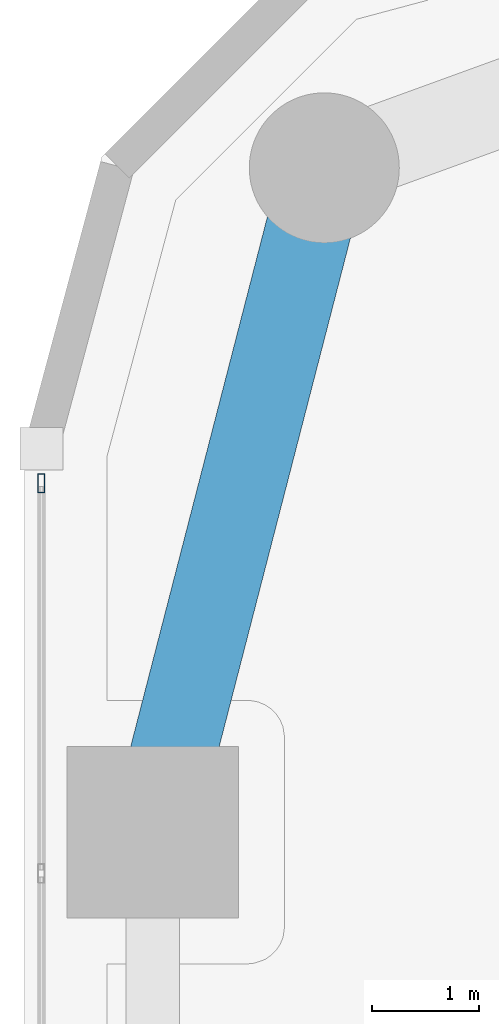
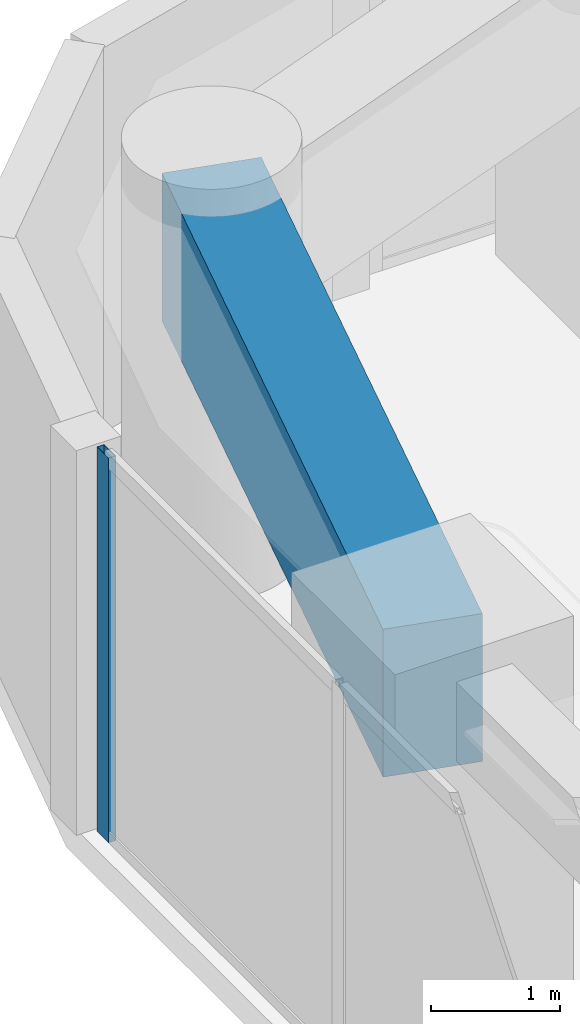
# One storey, part 14 of 29: 1 beam, 1 member, 1 element without a shape of its own.
"""IFC4 building model written with IfcOpenShell, lengths in metres."""

from ifc_helpers import new_model, si_unit, direction, frame, origin, origin_2d, place, context, subcontext, project, spatial, rectangle, hollow_rectangle, extrude, material, layer, layer_set, material_profile, profile_set, type_object, element, aggregate, save


model = new_model("IFC4")

# Units and contexts
model_context = context("Model", 3, precision=1e-05, world=origin(), true_north=direction((0.0, 1.0)))
body_context = subcontext(model_context, "Body", "Model", "MODEL_VIEW")
ifc_project = project(units=[si_unit("LENGTHUNIT", "METRE"), si_unit("AREAUNIT", "SQUARE_METRE"), si_unit("VOLUMEUNIT", "CUBIC_METRE"), si_unit("PLANEANGLEUNIT", "RADIAN"), si_unit("MASSUNIT", "GRAM", prefix="KILO")], contexts=[model_context])

# Site, building, storey
site_placement = place(None, origin())
site = spatial("IfcSite", under=ifc_project, at=site_placement, CompositionType="ELEMENT")
building_placement = place(site_placement, origin())
building = spatial("IfcBuilding", under=site, at=building_placement, Name="Kiyonajd Concourse Tower", CompositionType="ELEMENT")
storey_placement = place(building_placement, frame((0.0, 0.0, 52.800048828125)))
storey = spatial("IfcBuildingStorey", under=building, at=storey_placement, Name="L14", CompositionType="ELEMENT", Elevation=52.800048828125)

# Beam
ifc_material_1 = material(Name="Concrete C60/75", Category="concrete")
ifc_material_profile_1 = material_profile(ifc_material_1, rectangle(XDim=0.800048828125, YDim=1.39990234375, at=origin_2d()), Name="RCBM-800x1400")
ifc_profile_set_1 = profile_set([ifc_material_profile_1], Name="Concrete C60/75")
beam_type = type_object("IfcBeamType", Name="BM-XFER-RC", PredefinedType="BEAM", material=ifc_profile_set_1)
beam_placement = place(storey_placement, frame((20.800048828125, 59.60009765625, 2.93994140625), z_axis=(-0.249884937687, -0.968275538221, 0.0), x_axis=(0.968275538221, -0.249884937687, 0.0)))
element("IfcBeam", 1, at=beam_placement, inside=storey, type_object=beam_type, Name="L14 Perimeter Bundled Tube Spandrel", PredefinedType="BEAM", context=body_context, shape_type="SweptSolid", body=[
    extrude(rectangle(XDim=0.800048828125, YDim=1.39990234375, at=origin_2d()), origin(), (0.0, 0.0, 1.0), 6.4033203125),
])

# Curtain wall, member
ifc_material_2 = material(Name="Thermally Broken Anodised Aluminium", Category="aluminium")
ifc_layer = layer(ifc_material_2, 0.179931640625)
ifc_layer_set = layer_set([ifc_layer], Name="Thermally Broken Anodised Aluminium")
curtain_wall_type = type_object("IfcCurtainWallType", Name="CW-SYS-02", PredefinedType="NOTDEFINED", material=ifc_layer_set)
curtain_wall_placement = place(storey_placement, origin())
curtain_wall = element("IfcCurtainWall", 2, at=curtain_wall_placement, inside=storey, type_object=curtain_wall_type, Name="L14 Unitised Curtain Wall CW2", PredefinedType="NOTDEFINED")
ifc_material_profile_2 = material_profile(ifc_material_2, hollow_rectangle(XDim=0.06494140625, YDim=0.179931640625, WallThickness=0.00390625, at=origin_2d()), Name="MULL-65x180")
ifc_profile_set_2 = profile_set([ifc_material_profile_2], Name="Thermally Broken Anodised Aluminium")
member_type = type_object("IfcMemberType", Name="MB-CW-MULL1", PredefinedType="MULLION", material=ifc_profile_set_2)
member_placement = place(storey_placement, frame((18.159912109375, 56.656494140625, 0.0), z_axis=(0.0, 0.0, 1.0), x_axis=(-1.0, 0.0, 0.0)))
member = element("IfcMember", 3, at=member_placement, type_object=member_type, Name="CW2 mullion 7", PredefinedType="MULLION", context=body_context, shape_type="SweptSolid", body=[
    extrude(hollow_rectangle(XDim=0.06494140625, YDim=0.179931640625, WallThickness=0.00390625, at=origin_2d()), origin(), (0.0, 0.0, 1.0), 3.639892578125),
])
aggregate(curtain_wall, [member])

save(model, "model.ifc")
